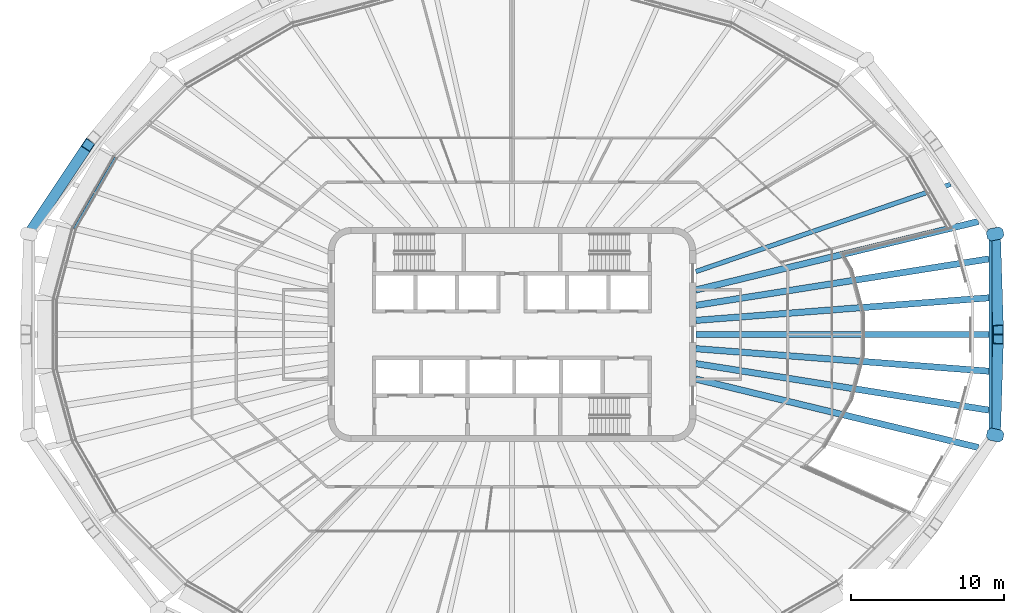
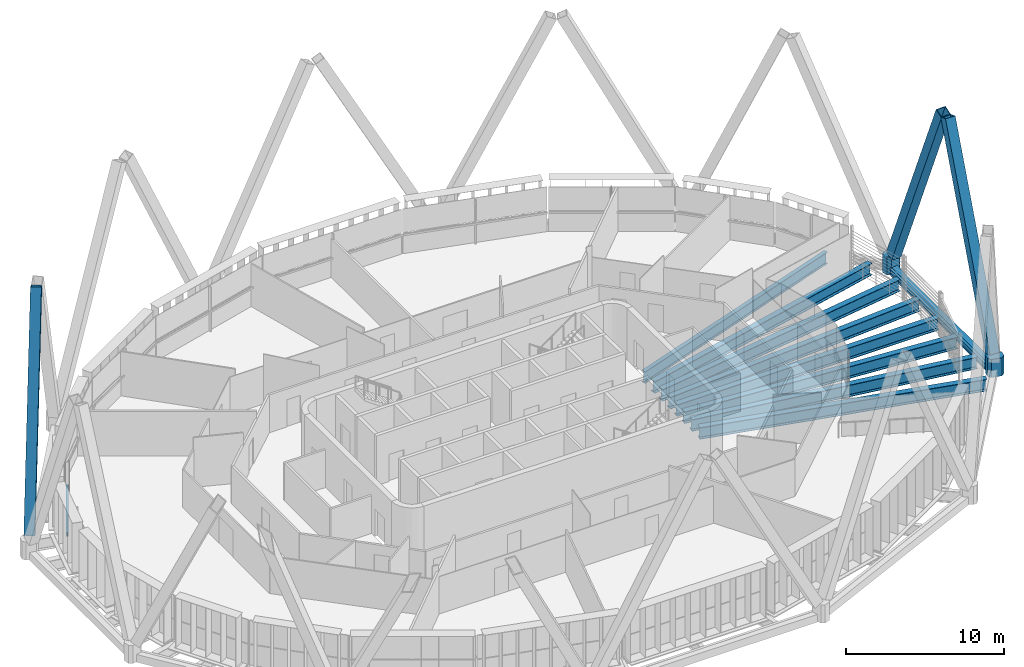
# One storey, part 5 of 20: 11 beams, 5 members.
"""IFC4 building model written with IfcOpenShell, lengths in metres."""

from ifc_helpers import new_model, si_unit, direction, frame, origin, origin_2d, place, context, subcontext, project, spatial, polyline, hollow_rectangle, i_section, outline, extrude, material, material_profile, profile_set, type_object, element, save


model = new_model("IFC4")

# Units and contexts
model_context = context("Model", 3, precision=1e-05, world=origin(), true_north=direction((0.0, 1.0)))
body_context = subcontext(model_context, "Body", "Model", "MODEL_VIEW")
ifc_project = project(units=[si_unit("LENGTHUNIT", "METRE"), si_unit("AREAUNIT", "SQUARE_METRE"), si_unit("VOLUMEUNIT", "CUBIC_METRE"), si_unit("PLANEANGLEUNIT", "RADIAN"), si_unit("MASSUNIT", "GRAM", prefix="KILO")], contexts=[model_context])

# Site, building, storey
site_placement = place(None, origin())
site = spatial("IfcSite", under=ifc_project, at=site_placement, CompositionType="ELEMENT")
building_placement = place(site_placement, origin())
building = spatial("IfcBuilding", under=site, at=building_placement, Name="Sahrelin Media Tower", CompositionType="ELEMENT")
storey_placement = place(building_placement, frame((0.0, 0.0, 267.0)))
storey = spatial("IfcBuildingStorey", under=building, at=storey_placement, Name="L58", CompositionType="ELEMENT", Elevation=267.0)

# Members
ifc_material_1 = material(Name="Steel S460", Category="steel")
ifc_material_profile_1 = material_profile(ifc_material_1, hollow_rectangle(XDim=0.699951171875, YDim=0.699951171875, WallThickness=0.0400390625, at=origin_2d()), Name="Diagrid diagonal DG7")
ifc_profile_set_1 = profile_set([ifc_material_profile_1], Name="Steel S460")
member_type_1 = type_object("IfcMemberType", Name="Diagrid diagonal DG7", PredefinedType="BRACE", material=ifc_profile_set_1)
member_1_placement = place(storey_placement, frame((31.559814453125, 6.279052734375, 0.699951171875), z_axis=(0.01206557884, -0.379632610131, 0.925058648483), x_axis=(0.999495326566, 0.031766211178, 0.0)))
element("IfcMember", 1, at=member_1_placement, inside=storey, type_object=member_type_1, Name="Diagrid diagonal D13-00", PredefinedType="BRACE", context=body_context, shape_type="SweptSolid", body=[
    extrude(hollow_rectangle(XDim=0.699951171875, YDim=0.699951171875, WallThickness=0.0400390625, at=origin_2d()), origin(), (0.0, 0.0, 1.0), 15.782958984375),
])
member_2_placement = place(storey_placement, frame((-31.37353515625, 6.832275390625, 0.699951171875), z_axis=(0.230056417556, 0.345639877226, 0.909729146511), x_axis=(-0.832461543053, 0.554082827146, 0.0)))
element("IfcMember", 2, at=member_2_placement, inside=storey, type_object=member_type_1, Name="Diagrid diagonal D13-10", PredefinedType="BRACE", context=body_context, shape_type="SweptSolid", body=[
    extrude(hollow_rectangle(XDim=0.699951171875, YDim=0.699951171875, WallThickness=0.0400390625, at=origin_2d()), origin(), (0.0, 0.0, 1.0), 16.048828125),
])
member_3_placement = place(storey_placement, frame((31.559814453125, -6.279052734375, 0.699951171875), z_axis=(0.01206557884, 0.379632610131, 0.925058648483), x_axis=(-0.999495326566, 0.031766211178, 0.0)))
element("IfcMember", 3, at=member_3_placement, inside=storey, type_object=member_type_1, Name="Diagrid diagonal D13-23", PredefinedType="BRACE", context=body_context, shape_type="SweptSolid", body=[
    extrude(hollow_rectangle(XDim=0.699951171875, YDim=0.699951171875, WallThickness=0.0400390625, at=origin_2d()), origin(), (0.0, 0.0, 1.0), 15.782958984375),
])
ifc_material_profile_2 = material_profile(ifc_material_1, outline(polyline([(0.35009765625, -0.39990234375), (0.550048828125, -0.199951171875), (0.550048828125, 0.199951171875), (0.35009765625, 0.39990234375), (-0.35009765625, 0.39990234375), (-0.550048828125, 0.199951171875), (-0.550048828125, -0.199951171875), (-0.35009765625, -0.39990234375), (0.35009765625, -0.39990234375)])), Name="Diagrid node block 1100")
ifc_profile_set_2 = profile_set([ifc_material_profile_2], Name="Steel S460")
member_type_2 = type_object("IfcMemberType", Name="Diagrid node block 1100", PredefinedType="USERDEFINED", material=ifc_profile_set_2)
for number, where, z_axis, x_axis, name in (
    (4, (31.550537109375, 6.56640625, -0.699951171875), (0.0, 0.0, 1.0), (0.979022008143, 0.203754527731, 0.0), "Diagrid node N13-00"),
    (5, (31.550537109375, -6.56640625, -0.699951171875), (0.0, 0.0, 1.0), (0.979022008143, -0.203754527731, 0.0), "Diagrid node N13-11"),
):
    element("IfcMember", number, at=place(storey_placement, frame(where, z_axis=z_axis, x_axis=x_axis)), inside=storey, type_object=member_type_2, Name=name, ObjectType="NODE", PredefinedType="USERDEFINED", context=body_context, shape_type="SweptSolid", body=[
        extrude(outline(polyline([(0.35009765625, -0.39990234375), (0.550048828125, -0.199951171875), (0.550048828125, 0.199951171875), (0.35009765625, 0.39990234375), (-0.35009765625, 0.39990234375), (-0.550048828125, 0.199951171875), (-0.550048828125, -0.199951171875), (-0.35009765625, -0.39990234375), (0.35009765625, -0.39990234375)])), origin(), (0.0, 0.0, 1.0), 1.39990234375),
    ])

# Beams
ifc_material_profile_3 = material_profile(ifc_material_1, hollow_rectangle(XDim=0.39990234375, YDim=0.60009765625, WallThickness=0.030029296875, at=origin_2d()), Name="Diagrid ring beam RB1")
ifc_profile_set_3 = profile_set([ifc_material_profile_3], Name="Steel S460")
beam_type_1 = type_object("IfcBeamType", Name="Diagrid ring beam RB1", PredefinedType="BEAM", material=ifc_profile_set_3)
beam_1_placement = place(storey_placement, frame((31.550537109375, -6.56640625, -0.449951171875), z_axis=(0.0, 1.0, 0.0), x_axis=(-1.0, 0.0, 0.0)))
element("IfcBeam", 6, at=beam_1_placement, inside=storey, type_object=beam_type_1, Name="Diagrid ring beam RB13-11", PredefinedType="BEAM", context=body_context, shape_type="SweptSolid", body=[
    extrude(hollow_rectangle(XDim=0.39990234375, YDim=0.60009765625, WallThickness=0.030029296875, at=origin_2d()), origin(), (0.0, 0.0, 1.0), 13.1328125),
])
ifc_material_2 = material(Name="Steel S355", Category="steel")
ifc_material_profile_4 = material_profile(ifc_material_2, i_section(OverallWidth=0.1650390625, OverallDepth=0.303466796875, WebThickness=0.006103515625, FlangeThickness=0.01025390625, FilletRadius=0.0087890625, at=origin_2d()), Name="UB 305x165x40")
ifc_profile_set_4 = profile_set([ifc_material_profile_4], Name="Steel S355")
beam_type_2 = type_object("IfcBeamType", Name="Edge beam EB2", PredefinedType="BEAM", material=ifc_profile_set_4)
beam_2_placement = place(storey_placement, frame((-28.57275390625, 6.91259765625, -0.3017578125), z_axis=(0.500009192644, 0.866020096344, 0.0), x_axis=(-0.866020096344, 0.500009192644, 0.0)))
element("IfcBeam", 7, at=beam_2_placement, inside=storey, type_object=beam_type_2, Name="Edge beam L58-12", PredefinedType="BEAM", context=body_context, shape_type="SweptSolid", body=[
    extrude(i_section(OverallWidth=0.1650390625, OverallDepth=0.303466796875, WebThickness=0.006103515625, FlangeThickness=0.01025390625, FilletRadius=0.0087890625, at=origin_2d()), origin(), (0.0, 0.0, 1.0), 5.38037109375),
])
ifc_material_profile_5 = material_profile(ifc_material_2, i_section(OverallWidth=0.41845703125, OverallDepth=0.911865234375, WebThickness=0.019287109375, FlangeThickness=0.031982421875, FilletRadius=0.024169921875, at=origin_2d()), Name="UB 914x419x343")
ifc_profile_set_5 = profile_set([ifc_material_profile_5], Name="Steel S355")
beam_type_3 = type_object("IfcBeamType", Name="Radial primary beam PB12", PredefinedType="BEAM", material=ifc_profile_set_5)
beam_3_placement = place(storey_placement, frame((12.0, 0.923583984375, -0.60595703125), z_axis=(0.997050971133, 0.076742171994, 0.0), x_axis=(-0.076742171994, 0.997050971133, 0.0)))
element("IfcBeam", 8, at=beam_3_placement, inside=storey, type_object=beam_type_3, Name="Radial beam L58-01", PredefinedType="BEAM", context=body_context, shape_type="SweptSolid", body=[
    extrude(i_section(OverallWidth=0.41845703125, OverallDepth=0.911865234375, WebThickness=0.019287109375, FlangeThickness=0.031982421875, FilletRadius=0.024169921875, at=origin_2d()), origin(), (0.0, 0.0, 1.0), 19.2119140625),
])
for number, where, z_axis, x_axis, name in (
    (9, (12.0, 2.9072265625, -0.60595703125), (0.97188497596, 0.235456139235, 0.0), (-0.235456139235, 0.97188497596, 0.0), "Radial beam L58-02"),
    (10, (12.0, -2.9072265625, -0.60595703125), (0.97188497596, -0.235456139235, 0.0), (0.235456139235, 0.97188497596, 0.0), "Radial beam L58-23"),
):
    element("IfcBeam", number, at=place(storey_placement, frame(where, z_axis=z_axis, x_axis=x_axis)), inside=storey, type_object=beam_type_3, Name=name, PredefinedType="BEAM", context=body_context, shape_type="SweptSolid", body=[
        extrude(i_section(OverallWidth=0.41845703125, OverallDepth=0.911865234375, WebThickness=0.019287109375, FlangeThickness=0.031982421875, FilletRadius=0.024169921875, at=origin_2d()), origin(), (0.0, 0.0, 1.0), 18.988525390625),
    ])
beam_4_placement = place(storey_placement, frame((12.0, -0.923583984375, -0.60595703125), z_axis=(0.997050971133, -0.076742171994, 0.0), x_axis=(0.076742171994, 0.997050971133, 0.0)))
element("IfcBeam", 11, at=beam_4_placement, inside=storey, type_object=beam_type_3, Name="Radial beam L58-24", PredefinedType="BEAM", context=body_context, shape_type="SweptSolid", body=[
    extrude(i_section(OverallWidth=0.41845703125, OverallDepth=0.911865234375, WebThickness=0.019287109375, FlangeThickness=0.031982421875, FilletRadius=0.024169921875, at=origin_2d()), origin(), (0.0, 0.0, 1.0), 19.2119140625),
])
ifc_material_profile_6 = material_profile(ifc_material_2, i_section(OverallWidth=0.30322265625, OverallDepth=0.903076171875, WebThickness=0.01513671875, FlangeThickness=0.020263671875, FilletRadius=0.01904296875, at=origin_2d()), Name="UB 914x305x201")
ifc_profile_set_6 = profile_set([ifc_material_profile_6], Name="Steel S355")
beam_type_4 = type_object("IfcBeamType", Name="Radial secondary beam SB11", PredefinedType="BEAM", material=ifc_profile_set_6)
beam_5_placement = place(storey_placement, frame((12.0, 4.109375, -0.6015625), z_axis=(0.946063855962, 0.323980216128, 0.0), x_axis=(-0.323980216128, 0.946063855962, 0.0)))
element("IfcBeam", 12, at=beam_5_placement, inside=storey, type_object=beam_type_4, Name="Secondary beam L58-02", PredefinedType="BEAM", context=body_context, shape_type="SweptSolid", body=[
    extrude(i_section(OverallWidth=0.30322265625, OverallDepth=0.903076171875, WebThickness=0.01513671875, FlangeThickness=0.020263671875, FilletRadius=0.01904296875, at=origin_2d()), origin(), (0.0, 0.0, 1.0), 17.595703125),
])
ifc_material_profile_7 = material_profile(ifc_material_2, i_section(OverallWidth=0.41845703125, OverallDepth=0.911865234375, WebThickness=0.019287109375, FlangeThickness=0.031982421875, FilletRadius=0.024169921875, at=origin_2d()), Name="UB 914x419x343")
ifc_profile_set_7 = profile_set([ifc_material_profile_7], Name="Steel S355")
beam_type_5 = type_object("IfcBeamType", Name="Radial secondary beam SB12", PredefinedType="BEAM", material=ifc_profile_set_7)
for number, where, z_axis, x_axis, name in (
    (13, (12.0, 1.90283203125, -0.60595703125), (0.987660790786, 0.156608308669, 0.0), (-0.156608308669, 0.987660790786, 0.0), "Secondary beam L58-01"),
    (14, (12.0, -1.90283203125, -0.60595703125), (0.987660790786, -0.156608308669, 0.0), (0.156608308669, 0.987660790786, 0.0), "Secondary beam L58-23"),
):
    element("IfcBeam", number, at=place(storey_placement, frame(where, z_axis=z_axis, x_axis=x_axis)), inside=storey, type_object=beam_type_5, Name=name, PredefinedType="BEAM", context=body_context, shape_type="SweptSolid", body=[
        extrude(i_section(OverallWidth=0.41845703125, OverallDepth=0.911865234375, WebThickness=0.019287109375, FlangeThickness=0.031982421875, FilletRadius=0.024169921875, at=origin_2d()), origin(), (0.0, 0.0, 1.0), 19.39453125),
    ])
beam_6_placement = place(storey_placement, frame((12.0, 0.0, -0.60595703125), z_axis=(1.0, 0.0, 0.0), x_axis=(0.0, 1.0, 0.0)))
element("IfcBeam", 15, at=beam_6_placement, inside=storey, type_object=beam_type_5, Name="Secondary beam L58-24", PredefinedType="BEAM", context=body_context, shape_type="SweptSolid", body=[
    extrude(i_section(OverallWidth=0.41845703125, OverallDepth=0.911865234375, WebThickness=0.019287109375, FlangeThickness=0.031982421875, FilletRadius=0.024169921875, at=origin_2d()), origin(), (0.0, 0.0, 1.0), 19.1552734375),
])
ifc_material_profile_8 = material_profile(ifc_material_2, i_section(OverallWidth=0.1904296875, OverallDepth=0.45703125, WebThickness=0.009033203125, FlangeThickness=0.014404296875, FilletRadius=0.01025390625, at=origin_2d()), Name="UB 457x191x74")
ifc_profile_set_8 = profile_set([ifc_material_profile_8], Name="Steel S355")
beam_type_6 = type_object("IfcBeamType", Name="Tie chord TC5", PredefinedType="BEAM", material=ifc_profile_set_8)
beam_7_placement = place(storey_placement, frame((31.25048828125, 6.466796875, -0.37841796875), z_axis=(0.0, -1.0, 0.0), x_axis=(1.0, 0.0, 0.0)))
element("IfcBeam", 16, at=beam_7_placement, inside=storey, type_object=beam_type_6, Name="Tie chord L58-01", PredefinedType="BEAM", context=body_context, shape_type="SweptSolid", body=[
    extrude(i_section(OverallWidth=0.1904296875, OverallDepth=0.45703125, WebThickness=0.009033203125, FlangeThickness=0.014404296875, FilletRadius=0.01025390625, at=origin_2d()), origin(), (0.0, 0.0, 1.0), 12.93359375),
])

save(model, "model.ifc")
